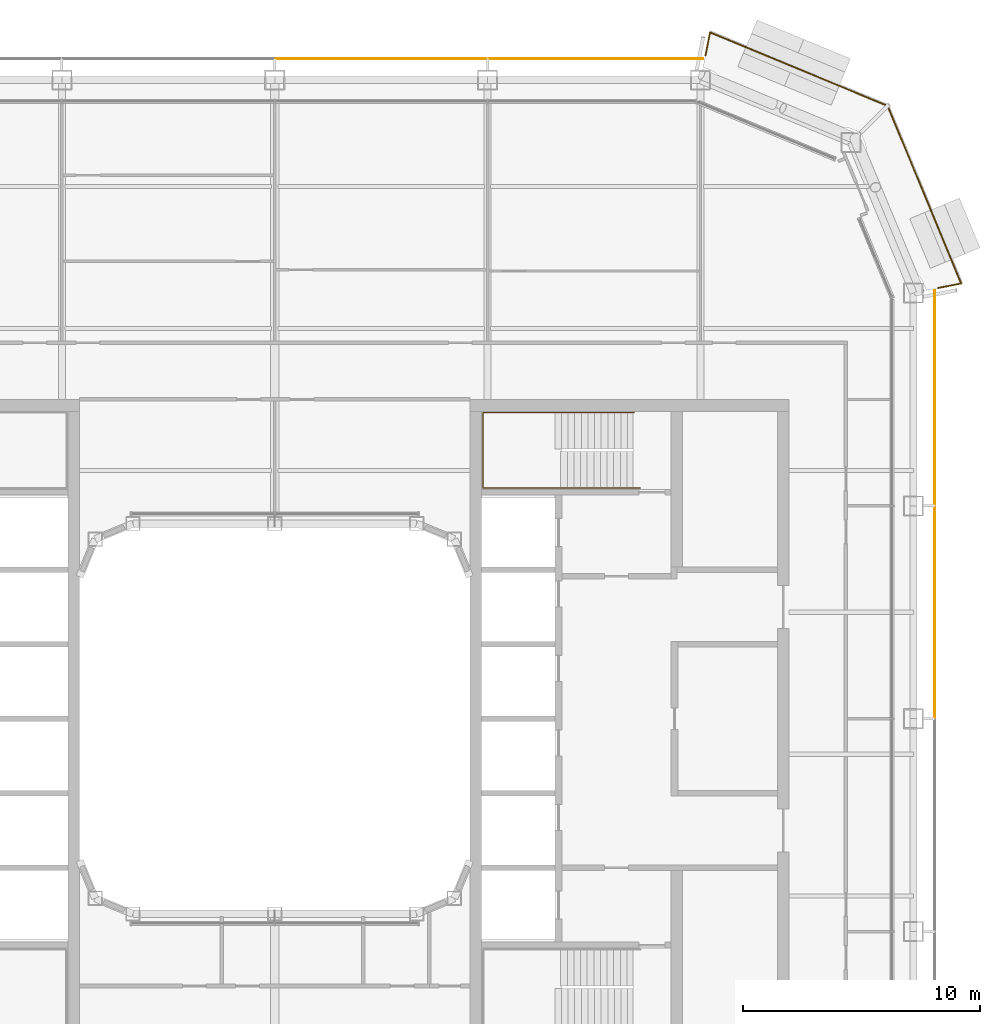
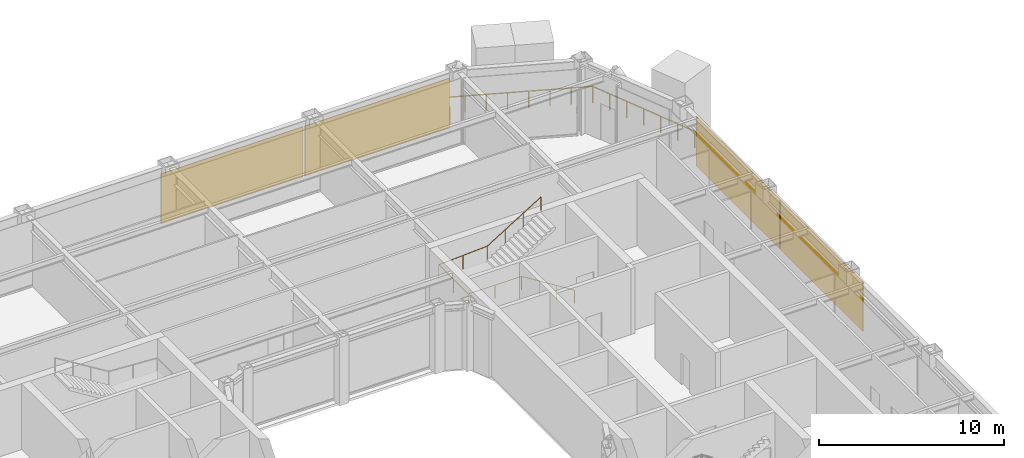
# One storey, part 22 of 23: 4 coverings, 2 railings.
"""IFC4 building model written with IfcOpenShell, lengths in metres."""

import ifcopenshell
import ifcopenshell.guid

model = None  # the IFC model being written
_history = None  # IfcOwnerHistory: only IFC2X3 demands one
_inside = {}  # id of a spatial element -> (the spatial element, [elements in it])
_under = {}  # id of a project, library or spatial element -> (it, [spatial elements below it])
_declared = {}  # id of a project -> (the project, [libraries it declares])
_typed = {}  # id of a type object -> (the type object, [elements of that type])
_made_of = {}  # id of a material, layer set ... -> (it, [elements and type objects made of it])


def new_model(schema):
    """Start an empty IFC model of exactly this schema.

    Asked for "IFC4X3", IfcOpenShell would pick the latest addendum, in which some entities
    have other attributes; the version numbers below select the first issue.
    IFC2X3 requires an IfcOwnerHistory on every rooted entity: one is made here for all.
    """
    global model, _history
    if schema == "IFC4X3":
        model = ifcopenshell.file(schema_version=(4, 3, 0, 0))
    else:
        model = ifcopenshell.file(schema=schema)
    _inside.clear()
    _under.clear()
    _declared.clear()
    _typed.clear()
    _made_of.clear()
    _history = None
    if model.schema == "IFC2X3":
        org = make("IfcOrganization", Name="unknown")
        user = make(
            "IfcPersonAndOrganization",
            ThePerson=make("IfcPerson", FamilyName="unknown"),
            TheOrganization=org,
        )
        app = make(
            "IfcApplication",
            ApplicationDeveloper=org,
            Version="unknown",
            ApplicationFullName="unknown",
            ApplicationIdentifier="unknown",
        )
        _history = make(
            "IfcOwnerHistory",
            OwningUser=user,
            OwningApplication=app,
            ChangeAction="ADDED",
            CreationDate=0,
        )
    return model


def make(cls, **values):
    """One entity of the class cls with the attributes given. An attribute that is None is left unset."""
    return model.create_entity(
        cls, **{name: value for name, value in values.items() if value is not None}
    )


def rooted(cls, **values):
    """An entity with a GlobalId (a new one), such as an element, a storey or a relation."""
    return make(cls, GlobalId=ifcopenshell.guid.new(), OwnerHistory=_history, **values)


def si_unit(unit_type, name, prefix=None):
    """IfcSIUnit, for example si_unit("LENGTHUNIT", "METRE", prefix="MILLI")."""
    return make("IfcSIUnit", UnitType=unit_type, Prefix=prefix, Name=name)


def assignment(units):
    """IfcUnitAssignment: the units of a project."""
    return None if units is None else make("IfcUnitAssignment", Units=units)


def point(xyz):
    """IfcCartesianPoint."""
    return None if xyz is None else make("IfcCartesianPoint", Coordinates=xyz)


def direction(xyz):
    """IfcDirection."""
    return None if xyz is None else make("IfcDirection", DirectionRatios=xyz)


def frame(location, z_axis=None, x_axis=None):
    """IfcAxis2Placement3D, a coordinate frame: its origin and axes. An axis left out is left unset."""
    return make(
        "IfcAxis2Placement3D",
        Location=point(location),
        Axis=direction(z_axis),
        RefDirection=direction(x_axis),
    )


def frame_2d(location, x_axis=None):
    """IfcAxis2Placement2D, a coordinate frame in the plane: its origin and x axis."""
    return make(
        "IfcAxis2Placement2D", Location=point(location), RefDirection=direction(x_axis)
    )


def origin():
    """The frame at (0, 0, 0) with its axes left unset."""
    return frame((0.0, 0.0, 0.0))


def origin_2d():
    """The frame at (0, 0) in the plane with its x axis left unset."""
    return frame_2d((0.0, 0.0))


def place(relative_to, where):
    """IfcLocalPlacement: puts the frame where relative to a parent placement (None: the world)."""
    return make(
        "IfcLocalPlacement", PlacementRelTo=relative_to, RelativePlacement=where
    )


def context(
    kind, dimensions, precision=None, world=None, true_north=None, identifier=None
):
    """IfcGeometricRepresentationContext, for example the 3D "Model" context."""
    return make(
        "IfcGeometricRepresentationContext",
        ContextIdentifier=identifier,
        ContextType=kind,
        CoordinateSpaceDimension=dimensions,
        Precision=precision,
        WorldCoordinateSystem=world,
        TrueNorth=true_north,
    )


def subcontext(parent, identifier, kind, view, scale=None):
    """IfcGeometricRepresentationSubContext, for example "Body" below "Model"."""
    return make(
        "IfcGeometricRepresentationSubContext",
        ContextIdentifier=identifier,
        ContextType=kind,
        ParentContext=parent,
        TargetScale=scale,
        TargetView=view,
    )


def project(units=None, contexts=None):
    """IfcProject with its units and contexts."""
    return rooted(
        "IfcProject",
        Name="project",
        RepresentationContexts=contexts,
        UnitsInContext=assignment(units),
    )


def spatial(cls, under=None, at=None, **own):
    """A site, building, storey or space (cls), placed at a placement, below another one or the project."""
    s = rooted(cls, ObjectPlacement=at, **own)
    if under is not None:
        _under.setdefault(under.id(), (under, []))[1].append(s)
    return s


def profile(cls, at=None, kind="AREA", **sizes):
    """A parametric profile (cls). Its sizes go by their IFC names, for example OverallWidth=200.0."""
    return make(cls, ProfileType=kind, Position=at, **sizes)


def rectangle(**sizes):
    """IfcRectangleProfileDef."""
    return profile("IfcRectangleProfileDef", **sizes)


def circle(**sizes):
    """IfcCircleProfileDef."""
    return profile("IfcCircleProfileDef", **sizes)


def extrude(swept, where, along, depth):
    """IfcExtrudedAreaSolid: the profile swept, set in the frame where, extruded along a direction by depth."""
    return make(
        "IfcExtrudedAreaSolid",
        SweptArea=swept,
        Position=where,
        ExtrudedDirection=direction(along),
        Depth=depth,
    )


def shape(context_of_items, identifier, shape_type, items):
    """IfcShapeRepresentation: the items that make up one representation, for example the "Body"."""
    return make(
        "IfcShapeRepresentation",
        ContextOfItems=context_of_items,
        RepresentationIdentifier=identifier,
        RepresentationType=shape_type,
        Items=items,
    )


def material(Name=None, Category=None):
    """IfcMaterial."""
    return make("IfcMaterial", Name=Name, Category=Category)


def layer(
    of_material, thickness, ventilated=None, Name=None, Category=None, Priority=None
):
    """IfcMaterialLayer: one layer of a wall or slab, of a material (None: an air gap)."""
    return make(
        "IfcMaterialLayer",
        Material=of_material,
        LayerThickness=thickness,
        IsVentilated=ventilated,
        Name=Name,
        Category=Category,
        Priority=Priority,
    )


def layer_set(layers, Name=None):
    """IfcMaterialLayerSet."""
    return make("IfcMaterialLayerSet", MaterialLayers=layers, LayerSetName=Name)


def made_of(thing, what):
    """Note that an element or type object is made of a material, layer set ...; save() writes the relation."""
    if what is not None:
        _made_of.setdefault(what.id(), (what, []))[1].append(thing)
    return thing


def type_object(cls, material=None, **own):
    """A type object (cls), such as IfcWallType, which elements share."""
    return made_of(rooted(cls, **own), material)


def element(
    cls,
    number,
    at=None,
    inside=None,
    cuts=None,
    type_object=None,
    material=None,
    context=None,
    identifier="Body",
    shape_type=None,
    held_by="IfcProductDefinitionShape",
    body=None,
    shapes=None,
    **own,
):
    """One element of the class cls, such as IfcWall. Its Tag is "e" and its number.

    at: its placement. inside: the storey or other place that contains it. cuts: it is an
    opening in that element (IfcRelVoidsElement). A single representation is given by context,
    identifier, shape_type and body (its items); several are given by shapes. held_by: the class
    of the entity that holds the representations. save() writes the other relations.
    """
    e = rooted(cls, Tag="e%d" % number, ObjectPlacement=at, **own)
    if body is not None:
        shapes = [shape(context, identifier, shape_type, body)]
    if shapes is not None:
        e.Representation = make(held_by, Representations=shapes)
    if inside is not None:
        _inside.setdefault(inside.id(), (inside, []))[1].append(e)
    if cuts is not None:
        rooted(
            "IfcRelVoidsElement", RelatingBuildingElement=cuts, RelatedOpeningElement=e
        )
    if type_object is not None:
        _typed.setdefault(type_object.id(), (type_object, []))[1].append(e)
    return made_of(e, material)


def aggregate(whole, parts):
    """IfcRelAggregates: a whole, such as a stair, and the parts it consists of."""
    return rooted("IfcRelAggregates", RelatingObject=whole, RelatedObjects=parts)


def save(model, path):
    """Write the relations noted so far, then the file.

    IfcRelAggregates (storeys below a building ...), IfcRelContainedInSpatialStructure (elements
    in a storey), IfcRelDefinesByType, IfcRelAssociatesMaterial and IfcRelDeclares: one each for
    every whole, place, type object, material and project.
    """
    for whole, parts in _under.values():
        aggregate(whole, parts)
    for where, things in _inside.values():
        rooted(
            "IfcRelContainedInSpatialStructure",
            RelatedElements=things,
            RelatingStructure=where,
        )
    for kind, things in _typed.values():
        rooted("IfcRelDefinesByType", RelatedObjects=things, RelatingType=kind)
    for what, things in _made_of.values():
        rooted("IfcRelAssociatesMaterial", RelatedObjects=things, RelatingMaterial=what)
    for by, libraries in _declared.values():
        rooted("IfcRelDeclares", RelatingContext=by, RelatedDefinitions=libraries)
    model.write(path)


model = new_model("IFC4")

# Units and contexts
model_context = context("Model", 3, precision=1e-05, world=origin(), true_north=direction((0.0, 1.0)))
body_context = subcontext(model_context, "Body", "Model", "MODEL_VIEW")
ifc_project = project(units=[si_unit("LENGTHUNIT", "METRE"), si_unit("AREAUNIT", "SQUARE_METRE"), si_unit("VOLUMEUNIT", "CUBIC_METRE"), si_unit("PLANEANGLEUNIT", "RADIAN"), si_unit("MASSUNIT", "GRAM", prefix="KILO")], contexts=[model_context])

# Site, building, storey
site_placement = place(None, origin())
site = spatial("IfcSite", under=ifc_project, at=site_placement, CompositionType="ELEMENT")
building_placement = place(site_placement, origin())
building = spatial("IfcBuilding", under=site, at=building_placement, Name="Siwar Civic Tower", CompositionType="ELEMENT")
storey_placement = place(building_placement, frame((0.0, 0.0, 206.199951171875)))
storey = spatial("IfcBuildingStorey", under=building, at=storey_placement, Name="L44", CompositionType="ELEMENT", Elevation=206.199951171875)

# Railings
ifc_material_1 = material(Name="Stainless steel", Category="steel")
railing_type_1 = type_object("IfcRailingType", Name="CORE-STAIR-HANDRAIL", PredefinedType="HANDRAIL", material=ifc_material_1)
railing_1_placement = place(storey_placement, frame((15.449951171875, 9.758056640625, 0.173095703125)))
element("IfcRailing", 1, at=railing_1_placement, inside=storey, type_object=railing_type_1, Name="Stair handrail ST3", PredefinedType="HANDRAIL", context=body_context, shape_type="SweptSolid", body=[
    extrude(circle(Radius=0.02001953125, at=origin_2d()), frame((0.0, 0.0, 0.8798828125), z_axis=(-0.847063342986, 0.0, 0.531491950051), x_axis=(0.0, -1.0, 0.0)), (0.0, 0.0, 1.0), 3.90771484375),
    extrude(circle(Radius=0.02001953125, at=origin_2d()), frame((-3.31005859375, 0.0, 2.956787109375), z_axis=(-1.0, 0.0, 0.0), x_axis=(0.0, -1.0, 0.0)), (0.0, 0.0, 1.0), 3.331787109375),
    extrude(circle(Radius=0.02001953125, at=origin_2d()), frame((-6.641845703125, 0.0, 2.956787109375), z_axis=(0.0, 1.0, 0.0), x_axis=(-1.0, 0.0, 0.0)), (0.0, 0.0, 1.0), 3.183837890625),
    extrude(circle(Radius=0.02001953125, at=origin_2d()), frame((-6.641845703125, 3.183837890625, 2.956787109375), z_axis=(0.99837434197, 0.0, 0.056997134106), x_axis=(0.0, 1.0, 0.0)), (0.0, 0.0, 1.0), 3.036865234375),
    extrude(circle(Radius=0.02001953125, at=origin_2d()), frame((-3.60986328125, 3.183837890625, 3.1298828125), z_axis=(0.850606129759, 0.0, 0.525803396734), x_axis=(0.0, 1.0, 0.0)), (0.0, 0.0, 1.0), 3.949951171875),
    extrude(circle(Radius=0.02001953125, at=origin_2d()), origin(), (0.0, 0.0, 1.0), 0.85986328125),
    extrude(circle(Radius=0.02001953125, at=origin_2d()), frame((-1.103271484375, 0.0, 0.6923828125)), (0.0, 0.0, 1.0), 0.85986328125),
    extrude(circle(Radius=0.02001953125, at=origin_2d()), frame((-2.206787109375, 0.0, 1.384521484375)), (0.0, 0.0, 1.0), 0.85986328125),
    extrude(circle(Radius=0.02001953125, at=origin_2d()), frame((-3.31005859375, 0.0, 2.076904296875)), (0.0, 0.0, 1.0), 0.85986328125),
    extrude(circle(Radius=0.02001953125, at=origin_2d()), frame((-4.97607421875, 0.0, 2.076904296875)), (0.0, 0.0, 1.0), 0.85986328125),
    extrude(circle(Radius=0.02001953125, at=origin_2d()), frame((-6.641845703125, 0.0, 2.076904296875)), (0.0, 0.0, 1.0), 0.85986328125),
    extrude(circle(Radius=0.02001953125, at=origin_2d()), frame((-6.641845703125, 1.591796875, 2.076904296875)), (0.0, 0.0, 1.0), 0.85986328125),
    extrude(circle(Radius=0.02001953125, at=origin_2d()), frame((-6.641845703125, 3.183837890625, 2.076904296875)), (0.0, 0.0, 1.0), 0.85986328125),
    extrude(circle(Radius=0.02001953125, at=origin_2d()), frame((-5.1259765625, 3.183837890625, 2.16357421875)), (0.0, 0.0, 1.0), 0.85986328125),
    extrude(circle(Radius=0.02001953125, at=origin_2d()), frame((-3.60986328125, 3.183837890625, 2.25)), (0.0, 0.0, 1.0), 0.85986328125),
    extrude(circle(Radius=0.02001953125, at=origin_2d()), frame((-2.489990234375, 3.183837890625, 2.9423828125)), (0.0, 0.0, 1.0), 0.85986328125),
    extrude(circle(Radius=0.02001953125, at=origin_2d()), frame((-1.369873046875, 3.183837890625, 3.634521484375)), (0.0, 0.0, 1.0), 0.85986328125),
    extrude(circle(Radius=0.02001953125, at=origin_2d()), frame((-0.25, 3.183837890625, 4.326904296875)), (0.0, 0.0, 1.0), 0.85986328125),
])
ifc_material_2 = material(Name="Stainless steel 316", Category="steel")
railing_type_2 = type_object("IfcRailingType", Name="ENV-GUARD", PredefinedType="GUARDRAIL", material=ifc_material_2)
railing_2_placement = place(storey_placement, frame((28.047119140625, 18.208251953125, 0.0)))
element("IfcRailing", 2, at=railing_2_placement, inside=storey, type_object=railing_type_2, Name="Balcony guard NE", PredefinedType="GUARDRAIL", context=body_context, shape_type="SweptSolid", body=[
    extrude(circle(Radius=0.02392578125, at=origin_2d()), frame((0.0, 0.0, 1.076171875), z_axis=(0.980778661911, 0.195123592472, 0.0), x_axis=(-0.195123592472, 0.980778661911, 0.0)), (0.0, 0.0, 1.0), 0.993408203125),
    extrude(circle(Radius=0.02392578125, at=origin_2d()), frame((0.974365234375, 0.19384765625, 1.076171875), z_axis=(-0.382176720888, 0.924089256518, 0.0), x_axis=(-0.924089256518, -0.382176720888, 0.0)), (0.0, 0.0, 1.0), 8.129638671875),
    extrude(circle(Radius=0.02392578125, at=origin_2d()), frame((-2.132568359375, 7.706298828125, 1.076171875), z_axis=(-0.924089256518, 0.382176720888, 0.0), x_axis=(-0.382176720888, -0.924089256518, 0.0)), (0.0, 0.0, 1.0), 8.129638671875),
    extrude(circle(Radius=0.02392578125, at=origin_2d()), frame((-9.64501953125, 10.813232421875, 1.076171875), z_axis=(-0.195123592472, -0.980778661911, 0.0), x_axis=(0.980778661911, -0.195123592472, 0.0)), (0.0, 0.0, 1.0), 0.993408203125),
    extrude(circle(Radius=0.02099609375, at=origin_2d()), origin(), (0.0, 0.0, 1.0), 1.052001953125),
    extrude(circle(Radius=0.02099609375, at=origin_2d()), frame((0.974365234375, 0.19384765625, 0.0)), (0.0, 0.0, 1.0), 1.052001953125),
    extrude(circle(Radius=0.02099609375, at=origin_2d()), frame((0.530517578125, 1.26708984375, 0.0)), (0.0, 0.0, 1.0), 1.052001953125),
    extrude(circle(Radius=0.02099609375, at=origin_2d()), frame((0.086669921875, 2.34033203125, 0.0)), (0.0, 0.0, 1.0), 1.052001953125),
    extrude(circle(Radius=0.02099609375, at=origin_2d()), frame((-0.357177734375, 3.41357421875, 0.0)), (0.0, 0.0, 1.0), 1.052001953125),
    extrude(circle(Radius=0.02099609375, at=origin_2d()), frame((-0.801025390625, 4.486572265625, 0.0)), (0.0, 0.0, 1.0), 1.052001953125),
    extrude(circle(Radius=0.02099609375, at=origin_2d()), frame((-1.244873046875, 5.559814453125, 0.0)), (0.0, 0.0, 1.0), 1.052001953125),
    extrude(circle(Radius=0.02099609375, at=origin_2d()), frame((-1.688720703125, 6.633056640625, 0.0)), (0.0, 0.0, 1.0), 1.052001953125),
    extrude(circle(Radius=0.02099609375, at=origin_2d()), frame((-2.132568359375, 7.706298828125, 0.0)), (0.0, 0.0, 1.0), 1.052001953125),
    extrude(circle(Radius=0.02099609375, at=origin_2d()), frame((-3.205810546875, 8.150146484375, 0.0)), (0.0, 0.0, 1.0), 1.052001953125),
    extrude(circle(Radius=0.02099609375, at=origin_2d()), frame((-4.279052734375, 8.593994140625, 0.0)), (0.0, 0.0, 1.0), 1.052001953125),
    extrude(circle(Radius=0.02099609375, at=origin_2d()), frame((-5.352294921875, 9.037841796875, 0.0)), (0.0, 0.0, 1.0), 1.052001953125),
    extrude(circle(Radius=0.02099609375, at=origin_2d()), frame((-6.42529296875, 9.481689453125, 0.0)), (0.0, 0.0, 1.0), 1.052001953125),
    extrude(circle(Radius=0.02099609375, at=origin_2d()), frame((-7.49853515625, 9.925537109375, 0.0)), (0.0, 0.0, 1.0), 1.052001953125),
    extrude(circle(Radius=0.02099609375, at=origin_2d()), frame((-8.57177734375, 10.369384765625, 0.0)), (0.0, 0.0, 1.0), 1.052001953125),
    extrude(circle(Radius=0.02099609375, at=origin_2d()), frame((-9.64501953125, 10.813232421875, 0.0)), (0.0, 0.0, 1.0), 1.052001953125),
    extrude(circle(Radius=0.02099609375, at=origin_2d()), frame((-9.8388671875, 9.8388671875, 0.0)), (0.0, 0.0, 1.0), 1.052001953125),
])

# Coverings
ifc_material_3 = material(Name="Perforated aluminium cassette, pale metal", Category="aluminium")
ifc_layer = layer(ifc_material_3, 0.0400390625)
ifc_layer_set = layer_set([ifc_layer], Name="Perforated aluminium cassette, pale metal")
covering_type = type_object("IfcCoveringType", Name="ENV-OUTER SKIN OS-1", PredefinedType="CLADDING", material=ifc_layer_set)
covering_1_placement = place(storey_placement, frame((27.89990234375, 4.5, -0.14990234375), z_axis=(0.0, 0.0, 1.0), x_axis=(0.0, 1.0, 0.0)))
element("IfcCovering", 3, at=covering_1_placement, inside=storey, type_object=covering_type, Name="OUTER SKIN OS-1 E 3", PredefinedType="CLADDING", context=body_context, shape_type="SweptSolid", body=[
    extrude(rectangle(XDim=8.89990234375, YDim=0.0400390625, at=origin_2d()), origin(), (0.0, 0.0, 1.0), 3.300048828125),
])
for number, where, z_axis, x_axis, name in (
    (4, (27.89990234375, 13.57958984375, -0.14990234375), (0.0, 0.0, 1.0), (0.0, 1.0, 0.0), "OUTER SKIN OS-1 E 4"),
    (5, (13.57958984375, 27.89990234375, -0.14990234375), (0.0, 0.0, 1.0), (-1.0, 0.0, 0.0), "OUTER SKIN OS-1 N 1"),
):
    element("IfcCovering", number, at=place(storey_placement, frame(where, z_axis=z_axis, x_axis=x_axis)), inside=storey, type_object=covering_type, Name=name, PredefinedType="CLADDING", context=body_context, shape_type="SweptSolid", body=[
        extrude(rectangle(XDim=9.05908203125, YDim=0.0400390625, at=origin_2d()), origin(), (0.0, 0.0, 1.0), 3.300048828125),
    ])
covering_2_placement = place(storey_placement, frame((4.5, 27.89990234375, -0.14990234375), z_axis=(0.0, 0.0, 1.0), x_axis=(-1.0, 0.0, 0.0)))
element("IfcCovering", 6, at=covering_2_placement, inside=storey, type_object=covering_type, Name="OUTER SKIN OS-1 N 2", PredefinedType="CLADDING", context=body_context, shape_type="SweptSolid", body=[
    extrude(rectangle(XDim=8.89990234375, YDim=0.0400390625, at=origin_2d()), origin(), (0.0, 0.0, 1.0), 3.300048828125),
])

save(model, "model.ifc")
